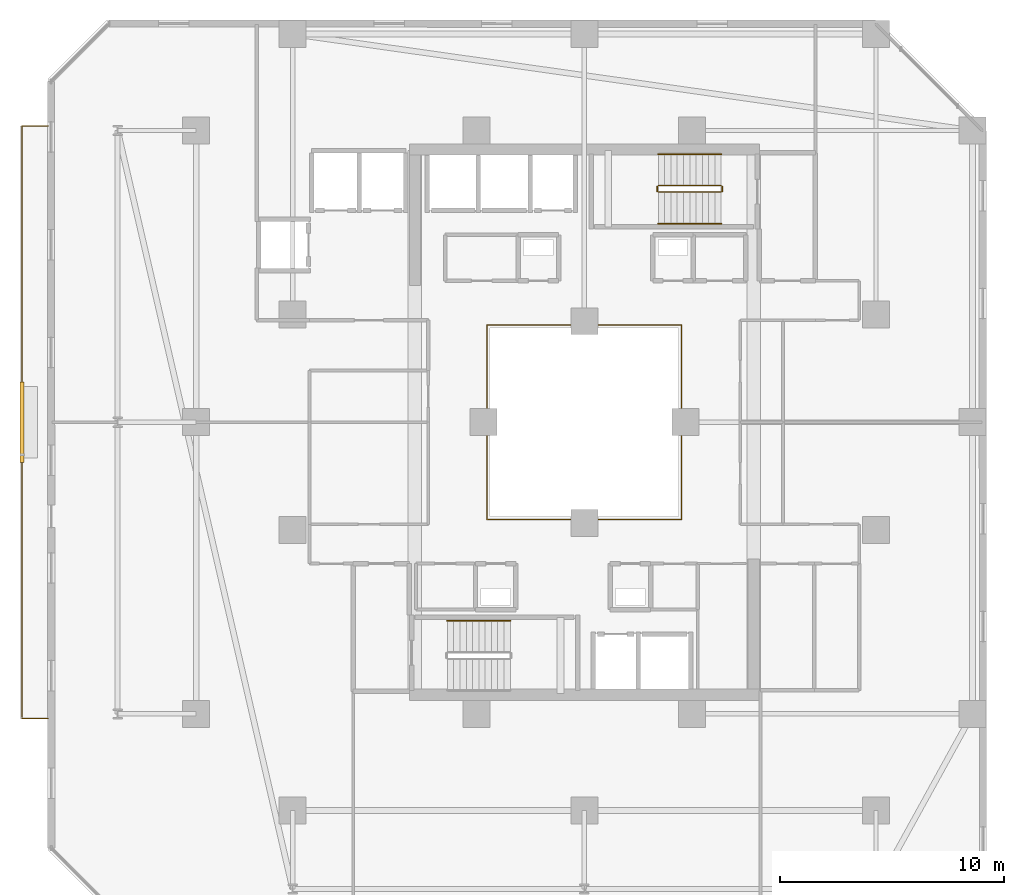
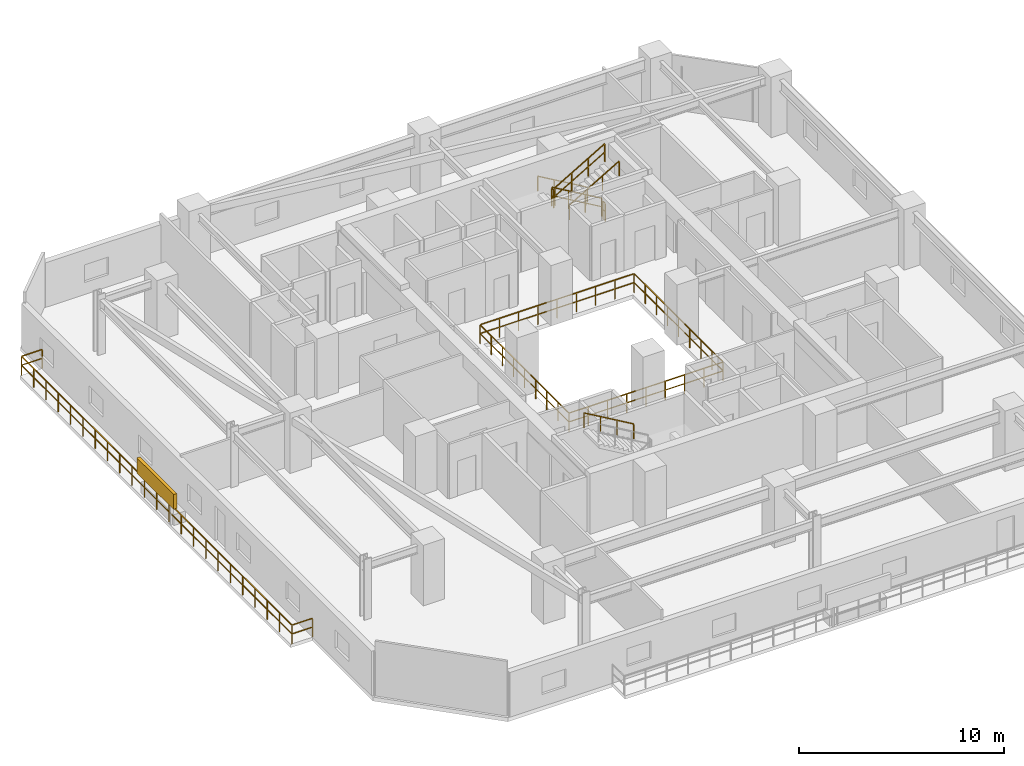
# One storey, part 31 of 34: 9 railings, 1 shading device.
"""IFC4 building model written with IfcOpenShell, lengths in metres."""

import ifcopenshell
import ifcopenshell.guid

model = None  # the IFC model being written
_history = None  # IfcOwnerHistory: only IFC2X3 demands one
_inside = {}  # id of a spatial element -> (the spatial element, [elements in it])
_under = {}  # id of a project, library or spatial element -> (it, [spatial elements below it])
_declared = {}  # id of a project -> (the project, [libraries it declares])
_typed = {}  # id of a type object -> (the type object, [elements of that type])
_made_of = {}  # id of a material, layer set ... -> (it, [elements and type objects made of it])


def new_model(schema):
    """Start an empty IFC model of exactly this schema.

    Asked for "IFC4X3", IfcOpenShell would pick the latest addendum, in which some entities
    have other attributes; the version numbers below select the first issue.
    IFC2X3 requires an IfcOwnerHistory on every rooted entity: one is made here for all.
    """
    global model, _history
    if schema == "IFC4X3":
        model = ifcopenshell.file(schema_version=(4, 3, 0, 0))
    else:
        model = ifcopenshell.file(schema=schema)
    _inside.clear()
    _under.clear()
    _declared.clear()
    _typed.clear()
    _made_of.clear()
    _history = None
    if model.schema == "IFC2X3":
        org = make("IfcOrganization", Name="unknown")
        user = make(
            "IfcPersonAndOrganization",
            ThePerson=make("IfcPerson", FamilyName="unknown"),
            TheOrganization=org,
        )
        app = make(
            "IfcApplication",
            ApplicationDeveloper=org,
            Version="unknown",
            ApplicationFullName="unknown",
            ApplicationIdentifier="unknown",
        )
        _history = make(
            "IfcOwnerHistory",
            OwningUser=user,
            OwningApplication=app,
            ChangeAction="ADDED",
            CreationDate=0,
        )
    return model


def make(cls, **values):
    """One entity of the class cls with the attributes given. An attribute that is None is left unset."""
    return model.create_entity(
        cls, **{name: value for name, value in values.items() if value is not None}
    )


def rooted(cls, **values):
    """An entity with a GlobalId (a new one), such as an element, a storey or a relation."""
    return make(cls, GlobalId=ifcopenshell.guid.new(), OwnerHistory=_history, **values)


def si_unit(unit_type, name, prefix=None):
    """IfcSIUnit, for example si_unit("LENGTHUNIT", "METRE", prefix="MILLI")."""
    return make("IfcSIUnit", UnitType=unit_type, Prefix=prefix, Name=name)


def assignment(units):
    """IfcUnitAssignment: the units of a project."""
    return None if units is None else make("IfcUnitAssignment", Units=units)


def point(xyz):
    """IfcCartesianPoint."""
    return None if xyz is None else make("IfcCartesianPoint", Coordinates=xyz)


def direction(xyz):
    """IfcDirection."""
    return None if xyz is None else make("IfcDirection", DirectionRatios=xyz)


def frame(location, z_axis=None, x_axis=None):
    """IfcAxis2Placement3D, a coordinate frame: its origin and axes. An axis left out is left unset."""
    return make(
        "IfcAxis2Placement3D",
        Location=point(location),
        Axis=direction(z_axis),
        RefDirection=direction(x_axis),
    )


def frame_2d(location, x_axis=None):
    """IfcAxis2Placement2D, a coordinate frame in the plane: its origin and x axis."""
    return make(
        "IfcAxis2Placement2D", Location=point(location), RefDirection=direction(x_axis)
    )


def origin():
    """The frame at (0, 0, 0) with its axes left unset."""
    return frame((0.0, 0.0, 0.0))


def origin_2d():
    """The frame at (0, 0) in the plane with its x axis left unset."""
    return frame_2d((0.0, 0.0))


def place(relative_to, where):
    """IfcLocalPlacement: puts the frame where relative to a parent placement (None: the world)."""
    return make(
        "IfcLocalPlacement", PlacementRelTo=relative_to, RelativePlacement=where
    )


def context(
    kind, dimensions, precision=None, world=None, true_north=None, identifier=None
):
    """IfcGeometricRepresentationContext, for example the 3D "Model" context."""
    return make(
        "IfcGeometricRepresentationContext",
        ContextIdentifier=identifier,
        ContextType=kind,
        CoordinateSpaceDimension=dimensions,
        Precision=precision,
        WorldCoordinateSystem=world,
        TrueNorth=true_north,
    )


def subcontext(parent, identifier, kind, view, scale=None):
    """IfcGeometricRepresentationSubContext, for example "Body" below "Model"."""
    return make(
        "IfcGeometricRepresentationSubContext",
        ContextIdentifier=identifier,
        ContextType=kind,
        ParentContext=parent,
        TargetScale=scale,
        TargetView=view,
    )


def project(units=None, contexts=None):
    """IfcProject with its units and contexts."""
    return rooted(
        "IfcProject",
        Name="project",
        RepresentationContexts=contexts,
        UnitsInContext=assignment(units),
    )


def spatial(cls, under=None, at=None, **own):
    """A site, building, storey or space (cls), placed at a placement, below another one or the project."""
    s = rooted(cls, ObjectPlacement=at, **own)
    if under is not None:
        _under.setdefault(under.id(), (under, []))[1].append(s)
    return s


def profile(cls, at=None, kind="AREA", **sizes):
    """A parametric profile (cls). Its sizes go by their IFC names, for example OverallWidth=200.0."""
    return make(cls, ProfileType=kind, Position=at, **sizes)


def rectangle(**sizes):
    """IfcRectangleProfileDef."""
    return profile("IfcRectangleProfileDef", **sizes)


def extrude(swept, where, along, depth):
    """IfcExtrudedAreaSolid: the profile swept, set in the frame where, extruded along a direction by depth."""
    return make(
        "IfcExtrudedAreaSolid",
        SweptArea=swept,
        Position=where,
        ExtrudedDirection=direction(along),
        Depth=depth,
    )


def shape(context_of_items, identifier, shape_type, items):
    """IfcShapeRepresentation: the items that make up one representation, for example the "Body"."""
    return make(
        "IfcShapeRepresentation",
        ContextOfItems=context_of_items,
        RepresentationIdentifier=identifier,
        RepresentationType=shape_type,
        Items=items,
    )


def material(Name=None, Category=None):
    """IfcMaterial."""
    return make("IfcMaterial", Name=Name, Category=Category)


def made_of(thing, what):
    """Note that an element or type object is made of a material, layer set ...; save() writes the relation."""
    if what is not None:
        _made_of.setdefault(what.id(), (what, []))[1].append(thing)
    return thing


def type_object(cls, material=None, **own):
    """A type object (cls), such as IfcWallType, which elements share."""
    return made_of(rooted(cls, **own), material)


def element(
    cls,
    number,
    at=None,
    inside=None,
    cuts=None,
    type_object=None,
    material=None,
    context=None,
    identifier="Body",
    shape_type=None,
    held_by="IfcProductDefinitionShape",
    body=None,
    shapes=None,
    **own,
):
    """One element of the class cls, such as IfcWall. Its Tag is "e" and its number.

    at: its placement. inside: the storey or other place that contains it. cuts: it is an
    opening in that element (IfcRelVoidsElement). A single representation is given by context,
    identifier, shape_type and body (its items); several are given by shapes. held_by: the class
    of the entity that holds the representations. save() writes the other relations.
    """
    e = rooted(cls, Tag="e%d" % number, ObjectPlacement=at, **own)
    if body is not None:
        shapes = [shape(context, identifier, shape_type, body)]
    if shapes is not None:
        e.Representation = make(held_by, Representations=shapes)
    if inside is not None:
        _inside.setdefault(inside.id(), (inside, []))[1].append(e)
    if cuts is not None:
        rooted(
            "IfcRelVoidsElement", RelatingBuildingElement=cuts, RelatedOpeningElement=e
        )
    if type_object is not None:
        _typed.setdefault(type_object.id(), (type_object, []))[1].append(e)
    return made_of(e, material)


def aggregate(whole, parts):
    """IfcRelAggregates: a whole, such as a stair, and the parts it consists of."""
    return rooted("IfcRelAggregates", RelatingObject=whole, RelatedObjects=parts)


def save(model, path):
    """Write the relations noted so far, then the file.

    IfcRelAggregates (storeys below a building ...), IfcRelContainedInSpatialStructure (elements
    in a storey), IfcRelDefinesByType, IfcRelAssociatesMaterial and IfcRelDeclares: one each for
    every whole, place, type object, material and project.
    """
    for whole, parts in _under.values():
        aggregate(whole, parts)
    for where, things in _inside.values():
        rooted(
            "IfcRelContainedInSpatialStructure",
            RelatedElements=things,
            RelatingStructure=where,
        )
    for kind, things in _typed.values():
        rooted("IfcRelDefinesByType", RelatedObjects=things, RelatingType=kind)
    for what, things in _made_of.values():
        rooted("IfcRelAssociatesMaterial", RelatedObjects=things, RelatingMaterial=what)
    for by, libraries in _declared.values():
        rooted("IfcRelDeclares", RelatingContext=by, RelatedDefinitions=libraries)
    model.write(path)


model = new_model("IFC4")

# Units and contexts
model_context = context("Model", 3, precision=1e-05, world=origin(), true_north=direction((0.0, 1.0)))
body_context = subcontext(model_context, "Body", "Model", "MODEL_VIEW")
ifc_project = project(units=[si_unit("LENGTHUNIT", "METRE"), si_unit("AREAUNIT", "SQUARE_METRE"), si_unit("VOLUMEUNIT", "CUBIC_METRE"), si_unit("PLANEANGLEUNIT", "RADIAN"), si_unit("MASSUNIT", "GRAM", prefix="KILO")], contexts=[model_context])

# Site, building, storey
site_placement = place(None, origin())
site = spatial("IfcSite", under=ifc_project, at=site_placement, CompositionType="ELEMENT")
building_placement = place(site_placement, origin())
building = spatial("IfcBuilding", under=site, at=building_placement, Name="Thornwick Lancets Civic Towers", CompositionType="ELEMENT")
storey_placement = place(building_placement, frame((0.0, 0.0, 137.699951171875)))
storey = spatial("IfcBuildingStorey", under=building, at=storey_placement, Name="L36", CompositionType="ELEMENT", Elevation=137.699951171875)

# Railings
ifc_material_1 = material(Name="Laminated glass and bronze steel S355", Category="steel")
railing_type_1 = type_object("IfcRailingType", Name="RAIL_ATRIUM_GUARD", PredefinedType="BALUSTRADE", material=ifc_material_1)
railing_1_placement = place(storey_placement, frame((21.159912109375, 22.659912109375, 0.0)))
element("IfcRailing", 1, at=railing_1_placement, inside=storey, type_object=railing_type_1, Name="L36 Tower A Central Atrium Guard Balustrade", PredefinedType="BALUSTRADE", context=body_context, shape_type="SweptSolid", body=[
    extrude(rectangle(XDim=0.048095703125, YDim=0.048095703125, at=origin_2d()), frame((0.0, 0.0, 1.1259765625), z_axis=(1.0, 0.0, 0.0), x_axis=(0.0, 1.0, 0.0)), (0.0, 0.0, 1.0), 8.64892578125),
    extrude(rectangle(XDim=0.0419921875, YDim=0.0419921875, at=origin_2d()), frame((0.03759765625, 0.0, 0.597900390625), z_axis=(1.0, 0.0, 0.0), x_axis=(0.0, 1.0, 0.0)), (0.0, 0.0, 1.0), 1.010009765625),
    extrude(rectangle(XDim=0.0419921875, YDim=0.0419921875, at=origin_2d()), frame((1.12255859375, 0.0, 0.597900390625), z_axis=(1.0, 0.0, 0.0), x_axis=(0.0, 1.0, 0.0)), (0.0, 0.0, 1.0), 1.010009765625),
    extrude(rectangle(XDim=0.0419921875, YDim=0.0419921875, at=origin_2d()), frame((2.20751953125, 0.0, 0.597900390625), z_axis=(1.0, 0.0, 0.0), x_axis=(0.0, 1.0, 0.0)), (0.0, 0.0, 1.0), 1.010009765625),
    extrude(rectangle(XDim=0.0419921875, YDim=0.0419921875, at=origin_2d()), frame((3.29248046875, 0.0, 0.597900390625), z_axis=(1.0, 0.0, 0.0), x_axis=(0.0, 1.0, 0.0)), (0.0, 0.0, 1.0), 1.010009765625),
    extrude(rectangle(XDim=0.0419921875, YDim=0.0419921875, at=origin_2d()), frame((4.377685546875, 0.0, 0.597900390625), z_axis=(1.0, 0.0, 0.0), x_axis=(0.0, 1.0, 0.0)), (0.0, 0.0, 1.0), 1.010009765625),
    extrude(rectangle(XDim=0.0419921875, YDim=0.0419921875, at=origin_2d()), frame((5.462646484375, 0.0, 0.597900390625), z_axis=(1.0, 0.0, 0.0), x_axis=(0.0, 1.0, 0.0)), (0.0, 0.0, 1.0), 1.010009765625),
    extrude(rectangle(XDim=0.0419921875, YDim=0.0419921875, at=origin_2d()), frame((6.547607421875, 0.0, 0.597900390625), z_axis=(1.0, 0.0, 0.0), x_axis=(0.0, 1.0, 0.0)), (0.0, 0.0, 1.0), 1.010009765625),
    extrude(rectangle(XDim=0.0419921875, YDim=0.0419921875, at=origin_2d()), frame((7.632568359375, 0.0, 0.597900390625), z_axis=(1.0, 0.0, 0.0), x_axis=(0.0, 1.0, 0.0)), (0.0, 0.0, 1.0), 1.010009765625),
    extrude(rectangle(XDim=0.048095703125, YDim=0.048095703125, at=origin_2d()), frame((8.68017578125, 0.03125, 1.1259765625), z_axis=(0.0, 1.0, 0.0), x_axis=(-1.0, 0.0, 0.0)), (0.0, 0.0, 1.0), 8.61767578125),
    extrude(rectangle(XDim=0.0419921875, YDim=0.0419921875, at=origin_2d()), frame((8.68017578125, 0.03759765625, 0.597900390625), z_axis=(0.0, 1.0, 0.0), x_axis=(-1.0, 0.0, 0.0)), (0.0, 0.0, 1.0), 1.010009765625),
    extrude(rectangle(XDim=0.0419921875, YDim=0.0419921875, at=origin_2d()), frame((8.68017578125, 1.12255859375, 0.597900390625), z_axis=(0.0, 1.0, 0.0), x_axis=(-1.0, 0.0, 0.0)), (0.0, 0.0, 1.0), 1.010009765625),
    extrude(rectangle(XDim=0.0419921875, YDim=0.0419921875, at=origin_2d()), frame((8.68017578125, 2.20751953125, 0.597900390625), z_axis=(0.0, 1.0, 0.0), x_axis=(-1.0, 0.0, 0.0)), (0.0, 0.0, 1.0), 1.010009765625),
    extrude(rectangle(XDim=0.0419921875, YDim=0.0419921875, at=origin_2d()), frame((8.68017578125, 3.29248046875, 0.597900390625), z_axis=(0.0, 1.0, 0.0), x_axis=(-1.0, 0.0, 0.0)), (0.0, 0.0, 1.0), 1.010009765625),
    extrude(rectangle(XDim=0.0419921875, YDim=0.0419921875, at=origin_2d()), frame((8.68017578125, 4.377685546875, 0.597900390625), z_axis=(0.0, 1.0, 0.0), x_axis=(-1.0, 0.0, 0.0)), (0.0, 0.0, 1.0), 1.010009765625),
    extrude(rectangle(XDim=0.0419921875, YDim=0.0419921875, at=origin_2d()), frame((8.68017578125, 5.462646484375, 0.597900390625), z_axis=(0.0, 1.0, 0.0), x_axis=(-1.0, 0.0, 0.0)), (0.0, 0.0, 1.0), 1.010009765625),
    extrude(rectangle(XDim=0.0419921875, YDim=0.0419921875, at=origin_2d()), frame((8.68017578125, 6.547607421875, 0.597900390625), z_axis=(0.0, 1.0, 0.0), x_axis=(-1.0, 0.0, 0.0)), (0.0, 0.0, 1.0), 1.010009765625),
    extrude(rectangle(XDim=0.0419921875, YDim=0.0419921875, at=origin_2d()), frame((8.68017578125, 7.632568359375, 0.597900390625), z_axis=(0.0, 1.0, 0.0), x_axis=(-1.0, 0.0, 0.0)), (0.0, 0.0, 1.0), 1.010009765625),
    extrude(rectangle(XDim=0.048095703125, YDim=0.048095703125, at=origin_2d()), frame((8.64892578125, 8.68017578125, 1.1259765625), z_axis=(-1.0, 0.0, 0.0), x_axis=(0.0, -1.0, 0.0)), (0.0, 0.0, 1.0), 8.61767578125),
    extrude(rectangle(XDim=0.0419921875, YDim=0.0419921875, at=origin_2d()), frame((8.642578125, 8.68017578125, 0.597900390625), z_axis=(-1.0, 0.0, 0.0), x_axis=(0.0, -1.0, 0.0)), (0.0, 0.0, 1.0), 1.010009765625),
    extrude(rectangle(XDim=0.0419921875, YDim=0.0419921875, at=origin_2d()), frame((7.5576171875, 8.68017578125, 0.597900390625), z_axis=(-1.0, 0.0, 0.0), x_axis=(0.0, -1.0, 0.0)), (0.0, 0.0, 1.0), 1.010009765625),
    extrude(rectangle(XDim=0.0419921875, YDim=0.0419921875, at=origin_2d()), frame((6.47265625, 8.68017578125, 0.597900390625), z_axis=(-1.0, 0.0, 0.0), x_axis=(0.0, -1.0, 0.0)), (0.0, 0.0, 1.0), 1.010009765625),
    extrude(rectangle(XDim=0.0419921875, YDim=0.0419921875, at=origin_2d()), frame((5.3876953125, 8.68017578125, 0.597900390625), z_axis=(-1.0, 0.0, 0.0), x_axis=(0.0, -1.0, 0.0)), (0.0, 0.0, 1.0), 1.010009765625),
    extrude(rectangle(XDim=0.0419921875, YDim=0.0419921875, at=origin_2d()), frame((4.302490234375, 8.68017578125, 0.597900390625), z_axis=(-1.0, 0.0, 0.0), x_axis=(0.0, -1.0, 0.0)), (0.0, 0.0, 1.0), 1.010009765625),
    extrude(rectangle(XDim=0.0419921875, YDim=0.0419921875, at=origin_2d()), frame((3.217529296875, 8.68017578125, 0.597900390625), z_axis=(-1.0, 0.0, 0.0), x_axis=(0.0, -1.0, 0.0)), (0.0, 0.0, 1.0), 1.010009765625),
    extrude(rectangle(XDim=0.0419921875, YDim=0.0419921875, at=origin_2d()), frame((2.132568359375, 8.68017578125, 0.597900390625), z_axis=(-1.0, 0.0, 0.0), x_axis=(0.0, -1.0, 0.0)), (0.0, 0.0, 1.0), 1.010009765625),
    extrude(rectangle(XDim=0.0419921875, YDim=0.0419921875, at=origin_2d()), frame((1.047607421875, 8.68017578125, 0.597900390625), z_axis=(-1.0, 0.0, 0.0), x_axis=(0.0, -1.0, 0.0)), (0.0, 0.0, 1.0), 1.010009765625),
    extrude(rectangle(XDim=0.048095703125, YDim=0.048095703125, at=origin_2d()), frame((0.0, 8.64892578125, 1.1259765625), z_axis=(0.0, -1.0, 0.0), x_axis=(1.0, 0.0, 0.0)), (0.0, 0.0, 1.0), 8.64892578125),
    extrude(rectangle(XDim=0.0419921875, YDim=0.0419921875, at=origin_2d()), frame((0.0, 8.642578125, 0.597900390625), z_axis=(0.0, -1.0, 0.0), x_axis=(1.0, 0.0, 0.0)), (0.0, 0.0, 1.0), 1.010009765625),
    extrude(rectangle(XDim=0.0419921875, YDim=0.0419921875, at=origin_2d()), frame((0.0, 7.5576171875, 0.597900390625), z_axis=(0.0, -1.0, 0.0), x_axis=(1.0, 0.0, 0.0)), (0.0, 0.0, 1.0), 1.010009765625),
    extrude(rectangle(XDim=0.0419921875, YDim=0.0419921875, at=origin_2d()), frame((0.0, 6.47265625, 0.597900390625), z_axis=(0.0, -1.0, 0.0), x_axis=(1.0, 0.0, 0.0)), (0.0, 0.0, 1.0), 1.010009765625),
    extrude(rectangle(XDim=0.0419921875, YDim=0.0419921875, at=origin_2d()), frame((0.0, 5.3876953125, 0.597900390625), z_axis=(0.0, -1.0, 0.0), x_axis=(1.0, 0.0, 0.0)), (0.0, 0.0, 1.0), 1.010009765625),
    extrude(rectangle(XDim=0.0419921875, YDim=0.0419921875, at=origin_2d()), frame((0.0, 4.302490234375, 0.597900390625), z_axis=(0.0, -1.0, 0.0), x_axis=(1.0, 0.0, 0.0)), (0.0, 0.0, 1.0), 1.010009765625),
    extrude(rectangle(XDim=0.0419921875, YDim=0.0419921875, at=origin_2d()), frame((0.0, 3.217529296875, 0.597900390625), z_axis=(0.0, -1.0, 0.0), x_axis=(1.0, 0.0, 0.0)), (0.0, 0.0, 1.0), 1.010009765625),
    extrude(rectangle(XDim=0.0419921875, YDim=0.0419921875, at=origin_2d()), frame((0.0, 2.132568359375, 0.597900390625), z_axis=(0.0, -1.0, 0.0), x_axis=(1.0, 0.0, 0.0)), (0.0, 0.0, 1.0), 1.010009765625),
    extrude(rectangle(XDim=0.0419921875, YDim=0.0419921875, at=origin_2d()), frame((0.0, 1.047607421875, 0.597900390625), z_axis=(0.0, -1.0, 0.0), x_axis=(1.0, 0.0, 0.0)), (0.0, 0.0, 1.0), 1.010009765625),
    extrude(rectangle(XDim=0.0419921875, YDim=0.0419921875, at=origin_2d()), origin(), (0.0, 0.0, 1.0), 1.095703125),
    extrude(rectangle(XDim=0.0419921875, YDim=0.0419921875, at=origin_2d()), frame((1.0849609375, 0.0, 0.0)), (0.0, 0.0, 1.0), 1.095703125),
    extrude(rectangle(XDim=0.0419921875, YDim=0.0419921875, at=origin_2d()), frame((2.169921875, 0.0, 0.0)), (0.0, 0.0, 1.0), 1.095703125),
    extrude(rectangle(XDim=0.0419921875, YDim=0.0419921875, at=origin_2d()), frame((3.255126953125, 0.0, 0.0)), (0.0, 0.0, 1.0), 1.095703125),
    extrude(rectangle(XDim=0.0419921875, YDim=0.0419921875, at=origin_2d()), frame((4.340087890625, 0.0, 0.0)), (0.0, 0.0, 1.0), 1.095703125),
    extrude(rectangle(XDim=0.0419921875, YDim=0.0419921875, at=origin_2d()), frame((5.425048828125, 0.0, 0.0)), (0.0, 0.0, 1.0), 1.095703125),
    extrude(rectangle(XDim=0.0419921875, YDim=0.0419921875, at=origin_2d()), frame((6.51025390625, 0.0, 0.0)), (0.0, 0.0, 1.0), 1.095703125),
    extrude(rectangle(XDim=0.0419921875, YDim=0.0419921875, at=origin_2d()), frame((7.59521484375, 0.0, 0.0)), (0.0, 0.0, 1.0), 1.095703125),
    extrude(rectangle(XDim=0.0419921875, YDim=0.0419921875, at=origin_2d()), frame((8.68017578125, 0.0, 0.0)), (0.0, 0.0, 1.0), 1.095703125),
    extrude(rectangle(XDim=0.0419921875, YDim=0.0419921875, at=origin_2d()), frame((8.68017578125, 1.0849609375, 0.0)), (0.0, 0.0, 1.0), 1.095703125),
    extrude(rectangle(XDim=0.0419921875, YDim=0.0419921875, at=origin_2d()), frame((8.68017578125, 2.169921875, 0.0)), (0.0, 0.0, 1.0), 1.095703125),
    extrude(rectangle(XDim=0.0419921875, YDim=0.0419921875, at=origin_2d()), frame((8.68017578125, 3.255126953125, 0.0)), (0.0, 0.0, 1.0), 1.095703125),
    extrude(rectangle(XDim=0.0419921875, YDim=0.0419921875, at=origin_2d()), frame((8.68017578125, 4.340087890625, 0.0)), (0.0, 0.0, 1.0), 1.095703125),
    extrude(rectangle(XDim=0.0419921875, YDim=0.0419921875, at=origin_2d()), frame((8.68017578125, 5.425048828125, 0.0)), (0.0, 0.0, 1.0), 1.095703125),
    extrude(rectangle(XDim=0.0419921875, YDim=0.0419921875, at=origin_2d()), frame((8.68017578125, 6.51025390625, 0.0)), (0.0, 0.0, 1.0), 1.095703125),
    extrude(rectangle(XDim=0.0419921875, YDim=0.0419921875, at=origin_2d()), frame((8.68017578125, 7.59521484375, 0.0)), (0.0, 0.0, 1.0), 1.095703125),
    extrude(rectangle(XDim=0.0419921875, YDim=0.0419921875, at=origin_2d()), frame((8.68017578125, 8.68017578125, 0.0)), (0.0, 0.0, 1.0), 1.095703125),
    extrude(rectangle(XDim=0.0419921875, YDim=0.0419921875, at=origin_2d()), frame((7.59521484375, 8.68017578125, 0.0)), (0.0, 0.0, 1.0), 1.095703125),
    extrude(rectangle(XDim=0.0419921875, YDim=0.0419921875, at=origin_2d()), frame((6.51025390625, 8.68017578125, 0.0)), (0.0, 0.0, 1.0), 1.095703125),
    extrude(rectangle(XDim=0.0419921875, YDim=0.0419921875, at=origin_2d()), frame((5.425048828125, 8.68017578125, 0.0)), (0.0, 0.0, 1.0), 1.095703125),
    extrude(rectangle(XDim=0.0419921875, YDim=0.0419921875, at=origin_2d()), frame((4.340087890625, 8.68017578125, 0.0)), (0.0, 0.0, 1.0), 1.095703125),
    extrude(rectangle(XDim=0.0419921875, YDim=0.0419921875, at=origin_2d()), frame((3.255126953125, 8.68017578125, 0.0)), (0.0, 0.0, 1.0), 1.095703125),
    extrude(rectangle(XDim=0.0419921875, YDim=0.0419921875, at=origin_2d()), frame((2.169921875, 8.68017578125, 0.0)), (0.0, 0.0, 1.0), 1.095703125),
    extrude(rectangle(XDim=0.0419921875, YDim=0.0419921875, at=origin_2d()), frame((1.0849609375, 8.68017578125, 0.0)), (0.0, 0.0, 1.0), 1.095703125),
    extrude(rectangle(XDim=0.0419921875, YDim=0.0419921875, at=origin_2d()), frame((0.0, 8.68017578125, 0.0)), (0.0, 0.0, 1.0), 1.095703125),
    extrude(rectangle(XDim=0.0419921875, YDim=0.0419921875, at=origin_2d()), frame((0.0, 7.59521484375, 0.0)), (0.0, 0.0, 1.0), 1.095703125),
    extrude(rectangle(XDim=0.0419921875, YDim=0.0419921875, at=origin_2d()), frame((0.0, 6.51025390625, 0.0)), (0.0, 0.0, 1.0), 1.095703125),
    extrude(rectangle(XDim=0.0419921875, YDim=0.0419921875, at=origin_2d()), frame((0.0, 5.425048828125, 0.0)), (0.0, 0.0, 1.0), 1.095703125),
    extrude(rectangle(XDim=0.0419921875, YDim=0.0419921875, at=origin_2d()), frame((0.0, 4.340087890625, 0.0)), (0.0, 0.0, 1.0), 1.095703125),
    extrude(rectangle(XDim=0.0419921875, YDim=0.0419921875, at=origin_2d()), frame((0.0, 3.255126953125, 0.0)), (0.0, 0.0, 1.0), 1.095703125),
    extrude(rectangle(XDim=0.0419921875, YDim=0.0419921875, at=origin_2d()), frame((0.0, 2.169921875, 0.0)), (0.0, 0.0, 1.0), 1.095703125),
    extrude(rectangle(XDim=0.0419921875, YDim=0.0419921875, at=origin_2d()), frame((0.0, 1.0849609375, 0.0)), (0.0, 0.0, 1.0), 1.095703125),
])
ifc_material_2 = material(Name="Brushed stainless steel S355", Category="steel")
railing_type_2 = type_object("IfcRailingType", Name="RAIL_HANDRAIL", PredefinedType="HANDRAIL", material=ifc_material_2)
for number, where, name in (
    (2, (22.199951171875, 18.14990234375, 1.963623046875), "L36 ST-A1 stair handrail 2"),
    (3, (31.60009765625, 38.949951171875, 0.16357421875), "L36 ST-A2 stair handrail 1"),
):
    element("IfcRailing", number, at=place(storey_placement, frame(where)), inside=storey, type_object=railing_type_2, Name=name, PredefinedType="HANDRAIL", context=body_context, shape_type="SweptSolid", body=[
        extrude(rectangle(XDim=0.048095703125, YDim=0.048095703125, at=origin_2d()), frame((0.0, 0.0, 0.8857421875), z_axis=(-0.863360870873, 0.0, 0.504586966384), x_axis=(0.0, -1.0, 0.0)), (0.0, 0.0, 1.0), 3.2431640625),
        extrude(rectangle(XDim=0.0419921875, YDim=0.0419921875, at=origin_2d()), origin(), (0.0, 0.0, 1.0), 0.855712890625),
        extrude(rectangle(XDim=0.0419921875, YDim=0.0419921875, at=origin_2d()), frame((-0.933349609375, 0.0, 0.54541015625)), (0.0, 0.0, 1.0), 0.855712890625),
        extrude(rectangle(XDim=0.0419921875, YDim=0.0419921875, at=origin_2d()), frame((-1.86669921875, 0.0, 1.091064453125)), (0.0, 0.0, 1.0), 0.855712890625),
        extrude(rectangle(XDim=0.0419921875, YDim=0.0419921875, at=origin_2d()), frame((-2.800048828125, 0.0, 1.636474609375)), (0.0, 0.0, 1.0), 0.855712890625),
    ])
railing_2_placement = place(storey_placement, frame((28.800048828125, 35.85009765625, 1.963623046875)))
element("IfcRailing", 4, at=railing_2_placement, inside=storey, type_object=railing_type_2, Name="L36 ST-A2 stair handrail 2", PredefinedType="HANDRAIL", context=body_context, shape_type="SweptSolid", body=[
    extrude(rectangle(XDim=0.048095703125, YDim=0.048095703125, at=origin_2d()), frame((0.0, 0.0, 0.8857421875), z_axis=(0.863360870873, 0.0, 0.504586966384), x_axis=(0.0, 1.0, 0.0)), (0.0, 0.0, 1.0), 3.2431640625),
    extrude(rectangle(XDim=0.0419921875, YDim=0.0419921875, at=origin_2d()), origin(), (0.0, 0.0, 1.0), 0.855712890625),
    extrude(rectangle(XDim=0.0419921875, YDim=0.0419921875, at=origin_2d()), frame((0.933349609375, 0.0, 0.54541015625)), (0.0, 0.0, 1.0), 0.855712890625),
    extrude(rectangle(XDim=0.0419921875, YDim=0.0419921875, at=origin_2d()), frame((1.86669921875, 0.0, 1.091064453125)), (0.0, 0.0, 1.0), 0.855712890625),
    extrude(rectangle(XDim=0.0419921875, YDim=0.0419921875, at=origin_2d()), frame((2.800048828125, 0.0, 1.636474609375)), (0.0, 0.0, 1.0), 0.855712890625),
])
ifc_material_3 = material(Name="Steel S355JR", Category="steel")
railing_type_3 = type_object("IfcRailingType", Name="RAIL_STAIR_GUARD", PredefinedType="GUARDRAIL", material=ifc_material_3)
railing_3_placement = place(storey_placement, frame((31.60009765625, 37.550048828125, 0.16357421875)))
element("IfcRailing", 5, at=railing_3_placement, inside=storey, type_object=railing_type_3, Name="L36 ST-A2 stair guard 1", PredefinedType="GUARDRAIL", context=body_context, shape_type="SweptSolid", body=[
    extrude(rectangle(XDim=0.048095703125, YDim=0.048095703125, at=origin_2d()), frame((0.0, 0.0, 1.076171875), z_axis=(-0.863360870873, 0.0, 0.504586966384), x_axis=(0.0, -1.0, 0.0)), (0.0, 0.0, 1.0), 3.2431640625),
    extrude(rectangle(XDim=0.0419921875, YDim=0.0419921875, at=origin_2d()), frame((-0.032470703125, 0.0, 0.591064453125), z_axis=(-0.863360870873, 0.0, 0.504586966384), x_axis=(0.0, -1.0, 0.0)), (0.0, 0.0, 1.0), 1.006103515625),
    extrude(rectangle(XDim=0.0419921875, YDim=0.0419921875, at=origin_2d()), frame((-0.9658203125, 0.0, 1.136474609375), z_axis=(-0.863360870873, 0.0, 0.504586966384), x_axis=(0.0, -1.0, 0.0)), (0.0, 0.0, 1.0), 1.006103515625),
    extrude(rectangle(XDim=0.0419921875, YDim=0.0419921875, at=origin_2d()), frame((-1.899169921875, 0.0, 1.681884765625), z_axis=(-0.863360870873, 0.0, 0.504586966384), x_axis=(0.0, -1.0, 0.0)), (0.0, 0.0, 1.0), 1.006103515625),
    extrude(rectangle(XDim=0.0419921875, YDim=0.0419921875, at=origin_2d()), origin(), (0.0, 0.0, 1.0), 1.0458984375),
    extrude(rectangle(XDim=0.0419921875, YDim=0.0419921875, at=origin_2d()), frame((-0.933349609375, 0.0, 0.54541015625)), (0.0, 0.0, 1.0), 1.0458984375),
    extrude(rectangle(XDim=0.0419921875, YDim=0.0419921875, at=origin_2d()), frame((-1.86669921875, 0.0, 1.091064453125)), (0.0, 0.0, 1.0), 1.0458984375),
    extrude(rectangle(XDim=0.0419921875, YDim=0.0419921875, at=origin_2d()), frame((-2.800048828125, 0.0, 1.636474609375)), (0.0, 0.0, 1.0), 1.0458984375),
])
railing_4_placement = place(storey_placement, frame((28.75, 37.5, 1.800048828125)))
element("IfcRailing", 6, at=railing_4_placement, inside=storey, type_object=railing_type_3, Name="L36 ST-A2 stair guard 2", PredefinedType="GUARDRAIL", context=body_context, shape_type="SweptSolid", body=[
    extrude(rectangle(XDim=0.048095703125, YDim=0.048095703125, at=origin_2d()), frame((0.0, 0.0, 1.076171875), z_axis=(0.0, -1.0, 0.0), x_axis=(1.0, 0.0, 0.0)), (0.0, 0.0, 1.0), 0.199951171875),
    extrude(rectangle(XDim=0.0419921875, YDim=0.0419921875, at=origin_2d()), frame((0.0, -0.03759765625, 0.572021484375), z_axis=(0.0, -1.0, 0.0), x_axis=(1.0, 0.0, 0.0)), (0.0, 0.0, 1.0), 0.125),
    extrude(rectangle(XDim=0.0419921875, YDim=0.0419921875, at=origin_2d()), origin(), (0.0, 0.0, 1.0), 1.0458984375),
    extrude(rectangle(XDim=0.0419921875, YDim=0.0419921875, at=origin_2d()), frame((0.0, -0.199951171875, 0.0)), (0.0, 0.0, 1.0), 1.0458984375),
])
railing_5_placement = place(storey_placement, frame((28.800048828125, 37.25, 1.963623046875)))
element("IfcRailing", 7, at=railing_5_placement, inside=storey, type_object=railing_type_3, Name="L36 ST-A2 stair guard 3", PredefinedType="GUARDRAIL", context=body_context, shape_type="SweptSolid", body=[
    extrude(rectangle(XDim=0.048095703125, YDim=0.048095703125, at=origin_2d()), frame((0.0, 0.0, 1.076171875), z_axis=(0.863360870873, 0.0, 0.504586966384), x_axis=(0.0, 1.0, 0.0)), (0.0, 0.0, 1.0), 3.2431640625),
    extrude(rectangle(XDim=0.0419921875, YDim=0.0419921875, at=origin_2d()), frame((0.032470703125, 0.0, 0.591064453125), z_axis=(0.863360870873, 0.0, 0.504586966384), x_axis=(0.0, 1.0, 0.0)), (0.0, 0.0, 1.0), 1.006103515625),
    extrude(rectangle(XDim=0.0419921875, YDim=0.0419921875, at=origin_2d()), frame((0.9658203125, 0.0, 1.136474609375), z_axis=(0.863360870873, 0.0, 0.504586966384), x_axis=(0.0, 1.0, 0.0)), (0.0, 0.0, 1.0), 1.006103515625),
    extrude(rectangle(XDim=0.0419921875, YDim=0.0419921875, at=origin_2d()), frame((1.899169921875, 0.0, 1.681884765625), z_axis=(0.863360870873, 0.0, 0.504586966384), x_axis=(0.0, 1.0, 0.0)), (0.0, 0.0, 1.0), 1.006103515625),
    extrude(rectangle(XDim=0.0419921875, YDim=0.0419921875, at=origin_2d()), origin(), (0.0, 0.0, 1.0), 1.0458984375),
    extrude(rectangle(XDim=0.0419921875, YDim=0.0419921875, at=origin_2d()), frame((0.933349609375, 0.0, 0.54541015625)), (0.0, 0.0, 1.0), 1.0458984375),
    extrude(rectangle(XDim=0.0419921875, YDim=0.0419921875, at=origin_2d()), frame((1.86669921875, 0.0, 1.091064453125)), (0.0, 0.0, 1.0), 1.0458984375),
    extrude(rectangle(XDim=0.0419921875, YDim=0.0419921875, at=origin_2d()), frame((2.800048828125, 0.0, 1.636474609375)), (0.0, 0.0, 1.0), 1.0458984375),
])
railing_6_placement = place(storey_placement, frame((31.64990234375, 37.5, 0.0)))
element("IfcRailing", 8, at=railing_6_placement, inside=storey, type_object=railing_type_3, Name="L36 ST-A2 stair guard 4", PredefinedType="GUARDRAIL", context=body_context, shape_type="SweptSolid", body=[
    extrude(rectangle(XDim=0.048095703125, YDim=0.048095703125, at=origin_2d()), frame((0.0, 0.0, 1.076171875), z_axis=(0.0, -1.0, 0.0), x_axis=(1.0, 0.0, 0.0)), (0.0, 0.0, 1.0), 0.199951171875),
    extrude(rectangle(XDim=0.0419921875, YDim=0.0419921875, at=origin_2d()), frame((0.0, -0.03759765625, 0.572021484375), z_axis=(0.0, -1.0, 0.0), x_axis=(1.0, 0.0, 0.0)), (0.0, 0.0, 1.0), 0.125),
    extrude(rectangle(XDim=0.0419921875, YDim=0.0419921875, at=origin_2d()), origin(), (0.0, 0.0, 1.0), 1.0458984375),
    extrude(rectangle(XDim=0.0419921875, YDim=0.0419921875, at=origin_2d()), frame((0.0, -0.199951171875, 0.0)), (0.0, 0.0, 1.0), 1.0458984375),
])
ifc_material_4 = material(Name="Terracotta-capped laminated glass balustrade S355", Category="masonry")
railing_type_4 = type_object("IfcRailingType", Name="RAIL_TERR_GUARD", PredefinedType="GUARDRAIL", material=ifc_material_4)
railing_7_placement = place(storey_placement, frame((1.60009765625, 13.800048828125, 0.0)))
element("IfcRailing", 9, at=railing_7_placement, inside=storey, type_object=railing_type_4, Name="L36 Tower A Balcony Guard W", PredefinedType="GUARDRAIL", context=body_context, shape_type="SweptSolid", body=[
    extrude(rectangle(XDim=0.048095703125, YDim=0.048095703125, at=origin_2d()), frame((0.0, 0.0, 1.1259765625), z_axis=(-1.0, 0.0, 0.0), x_axis=(0.0, -1.0, 0.0)), (0.0, 0.0, 1.0), 1.138916015625),
    extrude(rectangle(XDim=0.0419921875, YDim=0.0419921875, at=origin_2d()), frame((-0.03759765625, 0.0, 0.597900390625), z_axis=(-1.0, 0.0, 0.0), x_axis=(0.0, -1.0, 0.0)), (0.0, 0.0, 1.0), 1.09521484375),
    extrude(rectangle(XDim=0.048095703125, YDim=0.048095703125, at=origin_2d()), frame((-1.170166015625, 0.03125, 1.1259765625), z_axis=(0.0, 1.0, 0.0), x_axis=(-1.0, 0.0, 0.0)), (0.0, 0.0, 1.0), 26.33740234375),
    extrude(rectangle(XDim=0.0419921875, YDim=0.0419921875, at=origin_2d()), frame((-1.170166015625, 0.03759765625, 0.597900390625), z_axis=(0.0, 1.0, 0.0), x_axis=(-1.0, 0.0, 0.0)), (0.0, 0.0, 1.0), 1.125),
    extrude(rectangle(XDim=0.0419921875, YDim=0.0419921875, at=origin_2d()), frame((-1.170166015625, 1.237548828125, 0.597900390625), z_axis=(0.0, 1.0, 0.0), x_axis=(-1.0, 0.0, 0.0)), (0.0, 0.0, 1.0), 1.125),
    extrude(rectangle(XDim=0.0419921875, YDim=0.0419921875, at=origin_2d()), frame((-1.170166015625, 2.4375, 0.597900390625), z_axis=(0.0, 1.0, 0.0), x_axis=(-1.0, 0.0, 0.0)), (0.0, 0.0, 1.0), 1.125),
    extrude(rectangle(XDim=0.0419921875, YDim=0.0419921875, at=origin_2d()), frame((-1.170166015625, 3.637451171875, 0.597900390625), z_axis=(0.0, 1.0, 0.0), x_axis=(-1.0, 0.0, 0.0)), (0.0, 0.0, 1.0), 1.125),
    extrude(rectangle(XDim=0.0419921875, YDim=0.0419921875, at=origin_2d()), frame((-1.170166015625, 4.83740234375, 0.597900390625), z_axis=(0.0, 1.0, 0.0), x_axis=(-1.0, 0.0, 0.0)), (0.0, 0.0, 1.0), 1.125),
    extrude(rectangle(XDim=0.0419921875, YDim=0.0419921875, at=origin_2d()), frame((-1.170166015625, 6.037353515625, 0.597900390625), z_axis=(0.0, 1.0, 0.0), x_axis=(-1.0, 0.0, 0.0)), (0.0, 0.0, 1.0), 1.125),
    extrude(rectangle(XDim=0.0419921875, YDim=0.0419921875, at=origin_2d()), frame((-1.170166015625, 7.237548828125, 0.597900390625), z_axis=(0.0, 1.0, 0.0), x_axis=(-1.0, 0.0, 0.0)), (0.0, 0.0, 1.0), 1.125),
    extrude(rectangle(XDim=0.0419921875, YDim=0.0419921875, at=origin_2d()), frame((-1.170166015625, 8.4375, 0.597900390625), z_axis=(0.0, 1.0, 0.0), x_axis=(-1.0, 0.0, 0.0)), (0.0, 0.0, 1.0), 1.125),
    extrude(rectangle(XDim=0.0419921875, YDim=0.0419921875, at=origin_2d()), frame((-1.170166015625, 9.637451171875, 0.597900390625), z_axis=(0.0, 1.0, 0.0), x_axis=(-1.0, 0.0, 0.0)), (0.0, 0.0, 1.0), 1.125),
    extrude(rectangle(XDim=0.0419921875, YDim=0.0419921875, at=origin_2d()), frame((-1.170166015625, 10.83740234375, 0.597900390625), z_axis=(0.0, 1.0, 0.0), x_axis=(-1.0, 0.0, 0.0)), (0.0, 0.0, 1.0), 1.125),
    extrude(rectangle(XDim=0.0419921875, YDim=0.0419921875, at=origin_2d()), frame((-1.170166015625, 12.037353515625, 0.597900390625), z_axis=(0.0, 1.0, 0.0), x_axis=(-1.0, 0.0, 0.0)), (0.0, 0.0, 1.0), 1.125),
    extrude(rectangle(XDim=0.0419921875, YDim=0.0419921875, at=origin_2d()), frame((-1.170166015625, 13.237548828125, 0.597900390625), z_axis=(0.0, 1.0, 0.0), x_axis=(-1.0, 0.0, 0.0)), (0.0, 0.0, 1.0), 1.125),
    extrude(rectangle(XDim=0.0419921875, YDim=0.0419921875, at=origin_2d()), frame((-1.170166015625, 14.4375, 0.597900390625), z_axis=(0.0, 1.0, 0.0), x_axis=(-1.0, 0.0, 0.0)), (0.0, 0.0, 1.0), 1.125),
    extrude(rectangle(XDim=0.0419921875, YDim=0.0419921875, at=origin_2d()), frame((-1.170166015625, 15.637451171875, 0.597900390625), z_axis=(0.0, 1.0, 0.0), x_axis=(-1.0, 0.0, 0.0)), (0.0, 0.0, 1.0), 1.125),
    extrude(rectangle(XDim=0.0419921875, YDim=0.0419921875, at=origin_2d()), frame((-1.170166015625, 16.83740234375, 0.597900390625), z_axis=(0.0, 1.0, 0.0), x_axis=(-1.0, 0.0, 0.0)), (0.0, 0.0, 1.0), 1.125),
    extrude(rectangle(XDim=0.0419921875, YDim=0.0419921875, at=origin_2d()), frame((-1.170166015625, 18.037353515625, 0.597900390625), z_axis=(0.0, 1.0, 0.0), x_axis=(-1.0, 0.0, 0.0)), (0.0, 0.0, 1.0), 1.125),
    extrude(rectangle(XDim=0.0419921875, YDim=0.0419921875, at=origin_2d()), frame((-1.170166015625, 19.2373046875, 0.597900390625), z_axis=(0.0, 1.0, 0.0), x_axis=(-1.0, 0.0, 0.0)), (0.0, 0.0, 1.0), 1.125),
    extrude(rectangle(XDim=0.0419921875, YDim=0.0419921875, at=origin_2d()), frame((-1.170166015625, 20.4375, 0.597900390625), z_axis=(0.0, 1.0, 0.0), x_axis=(-1.0, 0.0, 0.0)), (0.0, 0.0, 1.0), 1.125),
    extrude(rectangle(XDim=0.0419921875, YDim=0.0419921875, at=origin_2d()), frame((-1.170166015625, 21.637451171875, 0.597900390625), z_axis=(0.0, 1.0, 0.0), x_axis=(-1.0, 0.0, 0.0)), (0.0, 0.0, 1.0), 1.125),
    extrude(rectangle(XDim=0.0419921875, YDim=0.0419921875, at=origin_2d()), frame((-1.170166015625, 22.83740234375, 0.597900390625), z_axis=(0.0, 1.0, 0.0), x_axis=(-1.0, 0.0, 0.0)), (0.0, 0.0, 1.0), 1.125),
    extrude(rectangle(XDim=0.0419921875, YDim=0.0419921875, at=origin_2d()), frame((-1.170166015625, 24.037353515625, 0.597900390625), z_axis=(0.0, 1.0, 0.0), x_axis=(-1.0, 0.0, 0.0)), (0.0, 0.0, 1.0), 1.125),
    extrude(rectangle(XDim=0.0419921875, YDim=0.0419921875, at=origin_2d()), frame((-1.170166015625, 25.2373046875, 0.597900390625), z_axis=(0.0, 1.0, 0.0), x_axis=(-1.0, 0.0, 0.0)), (0.0, 0.0, 1.0), 1.125),
    extrude(rectangle(XDim=0.048095703125, YDim=0.048095703125, at=origin_2d()), frame((-1.138916015625, 26.39990234375, 1.1259765625), z_axis=(1.0, 0.0, 0.0), x_axis=(0.0, 1.0, 0.0)), (0.0, 0.0, 1.0), 1.138916015625),
    extrude(rectangle(XDim=0.0419921875, YDim=0.0419921875, at=origin_2d()), frame((-1.132568359375, 26.39990234375, 0.597900390625), z_axis=(1.0, 0.0, 0.0), x_axis=(0.0, 1.0, 0.0)), (0.0, 0.0, 1.0), 1.09521484375),
    extrude(rectangle(XDim=0.0419921875, YDim=0.0419921875, at=origin_2d()), origin(), (0.0, 0.0, 1.0), 1.095703125),
    extrude(rectangle(XDim=0.0419921875, YDim=0.0419921875, at=origin_2d()), frame((-1.170166015625, 0.0, 0.0)), (0.0, 0.0, 1.0), 1.095703125),
    extrude(rectangle(XDim=0.0419921875, YDim=0.0419921875, at=origin_2d()), frame((-1.170166015625, 1.199951171875, 0.0)), (0.0, 0.0, 1.0), 1.095703125),
    extrude(rectangle(XDim=0.0419921875, YDim=0.0419921875, at=origin_2d()), frame((-1.170166015625, 2.39990234375, 0.0)), (0.0, 0.0, 1.0), 1.095703125),
    extrude(rectangle(XDim=0.0419921875, YDim=0.0419921875, at=origin_2d()), frame((-1.170166015625, 3.60009765625, 0.0)), (0.0, 0.0, 1.0), 1.095703125),
    extrude(rectangle(XDim=0.0419921875, YDim=0.0419921875, at=origin_2d()), frame((-1.170166015625, 4.800048828125, 0.0)), (0.0, 0.0, 1.0), 1.095703125),
    extrude(rectangle(XDim=0.0419921875, YDim=0.0419921875, at=origin_2d()), frame((-1.170166015625, 6.0, 0.0)), (0.0, 0.0, 1.0), 1.095703125),
    extrude(rectangle(XDim=0.0419921875, YDim=0.0419921875, at=origin_2d()), frame((-1.170166015625, 7.199951171875, 0.0)), (0.0, 0.0, 1.0), 1.095703125),
    extrude(rectangle(XDim=0.0419921875, YDim=0.0419921875, at=origin_2d()), frame((-1.170166015625, 8.39990234375, 0.0)), (0.0, 0.0, 1.0), 1.095703125),
    extrude(rectangle(XDim=0.0419921875, YDim=0.0419921875, at=origin_2d()), frame((-1.170166015625, 9.599853515625, 0.0)), (0.0, 0.0, 1.0), 1.095703125),
    extrude(rectangle(XDim=0.0419921875, YDim=0.0419921875, at=origin_2d()), frame((-1.170166015625, 10.800048828125, 0.0)), (0.0, 0.0, 1.0), 1.095703125),
    extrude(rectangle(XDim=0.0419921875, YDim=0.0419921875, at=origin_2d()), frame((-1.170166015625, 12.0, 0.0)), (0.0, 0.0, 1.0), 1.095703125),
    extrude(rectangle(XDim=0.0419921875, YDim=0.0419921875, at=origin_2d()), frame((-1.170166015625, 13.199951171875, 0.0)), (0.0, 0.0, 1.0), 1.095703125),
    extrude(rectangle(XDim=0.0419921875, YDim=0.0419921875, at=origin_2d()), frame((-1.170166015625, 14.39990234375, 0.0)), (0.0, 0.0, 1.0), 1.095703125),
    extrude(rectangle(XDim=0.0419921875, YDim=0.0419921875, at=origin_2d()), frame((-1.170166015625, 15.599853515625, 0.0)), (0.0, 0.0, 1.0), 1.095703125),
    extrude(rectangle(XDim=0.0419921875, YDim=0.0419921875, at=origin_2d()), frame((-1.170166015625, 16.800048828125, 0.0)), (0.0, 0.0, 1.0), 1.095703125),
    extrude(rectangle(XDim=0.0419921875, YDim=0.0419921875, at=origin_2d()), frame((-1.170166015625, 18.0, 0.0)), (0.0, 0.0, 1.0), 1.095703125),
    extrude(rectangle(XDim=0.0419921875, YDim=0.0419921875, at=origin_2d()), frame((-1.170166015625, 19.199951171875, 0.0)), (0.0, 0.0, 1.0), 1.095703125),
    extrude(rectangle(XDim=0.0419921875, YDim=0.0419921875, at=origin_2d()), frame((-1.170166015625, 20.39990234375, 0.0)), (0.0, 0.0, 1.0), 1.095703125),
    extrude(rectangle(XDim=0.0419921875, YDim=0.0419921875, at=origin_2d()), frame((-1.170166015625, 21.599853515625, 0.0)), (0.0, 0.0, 1.0), 1.095703125),
    extrude(rectangle(XDim=0.0419921875, YDim=0.0419921875, at=origin_2d()), frame((-1.170166015625, 22.7998046875, 0.0)), (0.0, 0.0, 1.0), 1.095703125),
    extrude(rectangle(XDim=0.0419921875, YDim=0.0419921875, at=origin_2d()), frame((-1.170166015625, 24.0, 0.0)), (0.0, 0.0, 1.0), 1.095703125),
    extrude(rectangle(XDim=0.0419921875, YDim=0.0419921875, at=origin_2d()), frame((-1.170166015625, 25.199951171875, 0.0)), (0.0, 0.0, 1.0), 1.095703125),
    extrude(rectangle(XDim=0.0419921875, YDim=0.0419921875, at=origin_2d()), frame((-1.170166015625, 26.39990234375, 0.0)), (0.0, 0.0, 1.0), 1.095703125),
    extrude(rectangle(XDim=0.0419921875, YDim=0.0419921875, at=origin_2d()), frame((0.0, 26.39990234375, 0.0)), (0.0, 0.0, 1.0), 1.095703125),
])

# Shading device
ifc_material_5 = material(Name="Extruded terracotta baguette solar screen", Category="masonry")
shading_device_type = type_object("IfcShadingDeviceType", Name="SHADE_BAGUETTE", PredefinedType="JALOUSIE", material=ifc_material_5)
shading_device_placement = place(storey_placement, frame((0.43994140625, 27.0, 1.1201171875), z_axis=(0.0, 0.0, 1.0), x_axis=(0.0, 1.0, 0.0)))
element("IfcShadingDevice", 10, at=shading_device_placement, inside=storey, type_object=shading_device_type, Name="L36 Tower A Terracotta Baguette Screen W", PredefinedType="JALOUSIE", context=body_context, shape_type="SweptSolid", body=[
    extrude(rectangle(XDim=3.60009765625, YDim=0.179931640625, at=origin_2d()), origin(), (0.0, 0.0, 1.0), 0.89990234375),
])

save(model, "model.ifc")
